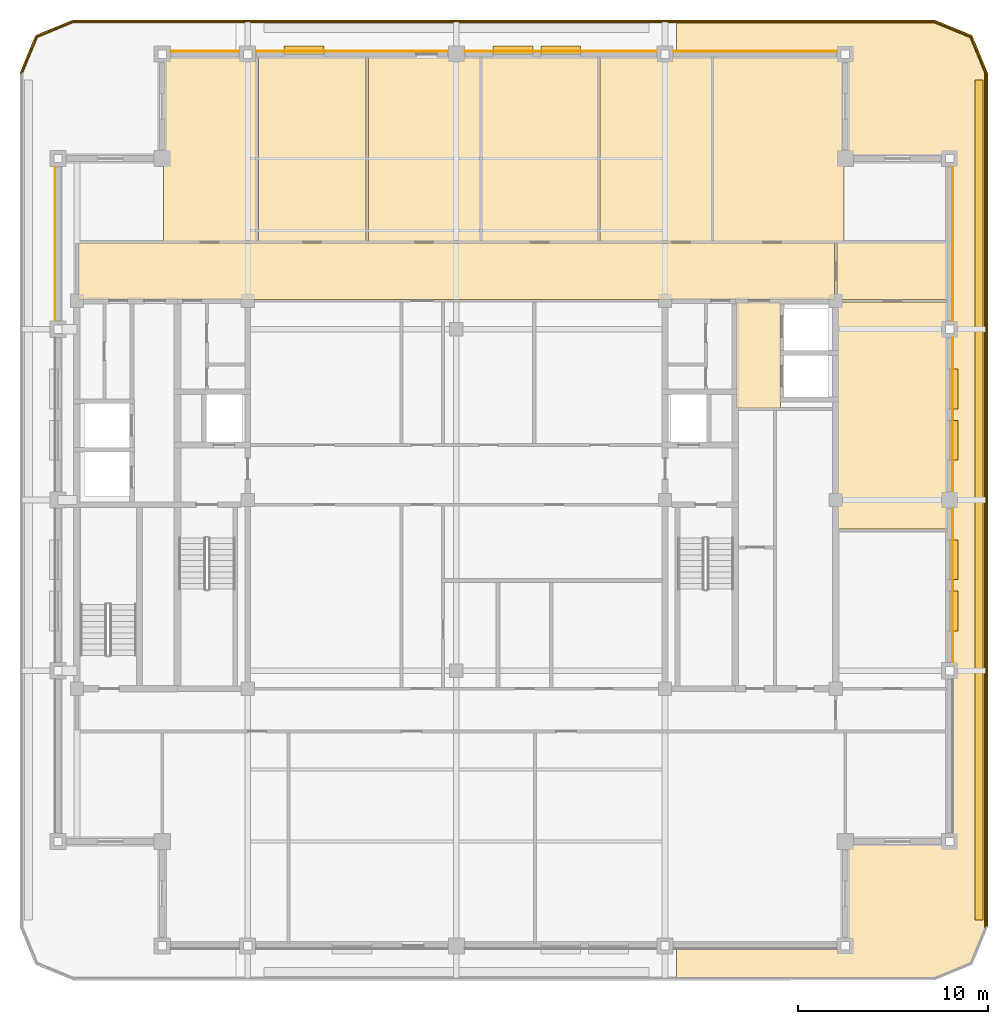
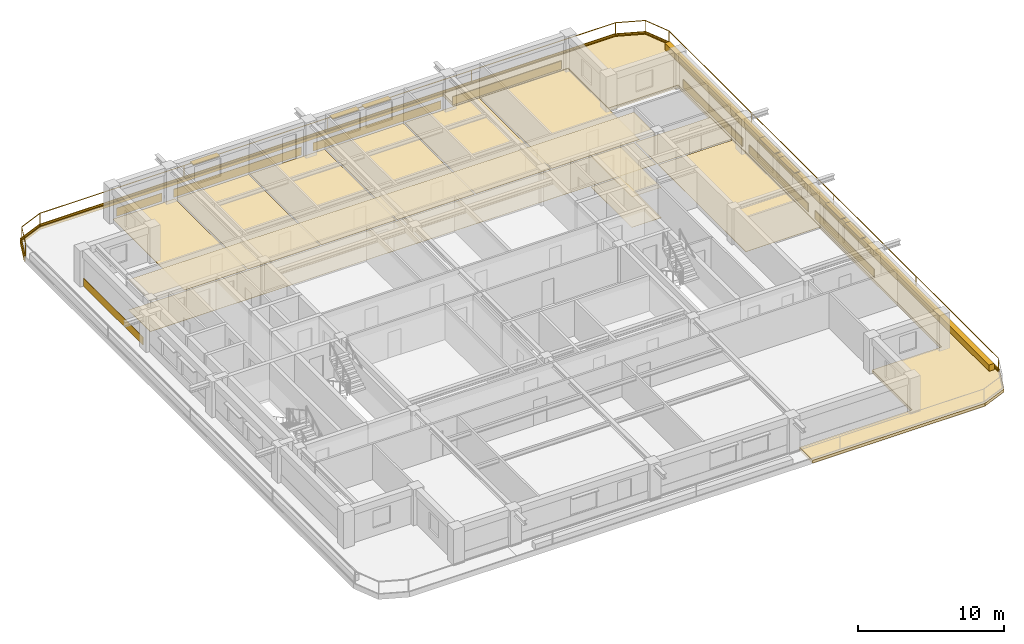
# One storey, part 11 of 11: 28 coverings, 7 shading devices, 2 railings.
"""IFC4 building model written with IfcOpenShell, lengths in metres."""

from ifc_helpers import new_model, si_unit, direction, frame, frame_2d, origin, origin_2d, place, context, subcontext, project, spatial, polyline, rectangle, outline, extrude, material, layer, layer_set, type_object, element, save


model = new_model("IFC4")

# Units and contexts
model_context = context("Model", 3, precision=1e-05, world=origin(), true_north=direction((0.0, 1.0)))
body_context = subcontext(model_context, "Body", "Model", "MODEL_VIEW")
ifc_project = project(units=[si_unit("LENGTHUNIT", "METRE"), si_unit("AREAUNIT", "SQUARE_METRE"), si_unit("VOLUMEUNIT", "CUBIC_METRE"), si_unit("PLANEANGLEUNIT", "RADIAN"), si_unit("MASSUNIT", "GRAM", prefix="KILO")], contexts=[model_context])

# Site, building, storey
site_placement = place(None, origin())
site = spatial("IfcSite", under=ifc_project, at=site_placement, CompositionType="ELEMENT")
building_placement = place(site_placement, origin())
building = spatial("IfcBuilding", under=site, at=building_placement, Name="Zulmaris Gate Convention Tower", CompositionType="ELEMENT")
storey_placement = place(building_placement, frame((0.0, 0.0, 233.280029296875)))
storey = spatial("IfcBuildingStorey", under=building, at=storey_placement, Name="L61", CompositionType="ELEMENT", Elevation=233.280029296875)

# Coverings
ifc_material_1 = material(Name="Precast concrete C40/50", Category="concrete")
ifc_layer_1 = layer(ifc_material_1, 0.0400390625, Name="Precast concrete C40/50")
ifc_layer_set_1 = layer_set([ifc_layer_1], Name="Precast concrete C40/50")
covering_type_1 = type_object("IfcCoveringType", Name="CLAD-SPANDREL-PRECAST", PredefinedType="CLADDING", material=ifc_layer_set_1)
covering_1_placement = place(storey_placement, frame((-11.455078125, 23.64990234375, 0.0), z_axis=(0.0, 0.0, 1.0), x_axis=(-1.0, 0.0, 0.0)))
element("IfcCovering", 1, at=covering_1_placement, inside=storey, type_object=covering_type_1, Name="CLD-L61-N-0_0", PredefinedType="CLADDING", context=body_context, shape_type="SweptSolid", body=[
    extrude(rectangle(XDim=3.58984375, YDim=0.0400390625, at=frame_2d((1.794921875, 0.0))), origin(), (0.0, 0.0, 1.0), 0.679931640625),
])
for number, where, z_axis, x_axis, name in (
    (2, (-0.455078125, 23.64990234375, 0.0), (0.0, 0.0, 1.0), (-1.0, 0.0, 0.0), "CLD-L61-N-1_0"),
    (3, (10.544921875, 23.64990234375, 0.0), (0.0, 0.0, 1.0), (-1.0, 0.0, 0.0), "CLD-L61-N-2_0"),
):
    element("IfcCovering", number, at=place(storey_placement, frame(where, z_axis=z_axis, x_axis=x_axis)), inside=storey, type_object=covering_type_1, Name=name, PredefinedType="CLADDING", context=body_context, shape_type="SweptSolid", body=[
        extrude(rectangle(XDim=10.08984375, YDim=0.0400390625, at=frame_2d((5.044921875, 0.0))), origin(), (0.0, 0.0, 1.0), 0.679931640625),
    ])
covering_2_placement = place(storey_placement, frame((20.044921875, 23.64990234375, 0.0), z_axis=(0.0, 0.0, 1.0), x_axis=(-1.0, 0.0, 0.0)))
element("IfcCovering", 4, at=covering_2_placement, inside=storey, type_object=covering_type_1, Name="CLD-L61-N-3_0", PredefinedType="CLADDING", context=body_context, shape_type="SweptSolid", body=[
    extrude(rectangle(XDim=8.58984375, YDim=0.0400390625, at=frame_2d((4.294921875, 0.0))), origin(), (0.0, 0.0, 1.0), 0.679931640625),
])
for number, where, z_axis, x_axis, name in (
    (5, (26.14990234375, -8.544921875, 0.0), (0.0, 0.0, 1.0), (0.0, 1.0, 0.0), "CLD-L61-E-1_0"),
    (6, (26.14990234375, 0.455078125, 0.0), (0.0, 0.0, 1.0), (0.0, 1.0, 0.0), "CLD-L61-E-2_0"),
    (7, (26.14990234375, 9.455078125, 0.0), (0.0, 0.0, 1.0), (0.0, 1.0, 0.0), "CLD-L61-E-3_0"),
    (8, (-21.14990234375, 17.544921875, 0.0), (0.0, 0.0, 1.0), (0.0, -1.0, 0.0), "CLD-L61-W-3_0"),
):
    element("IfcCovering", number, at=place(storey_placement, frame(where, z_axis=z_axis, x_axis=x_axis)), inside=storey, type_object=covering_type_1, Name=name, PredefinedType="CLADDING", context=body_context, shape_type="SweptSolid", body=[
        extrude(rectangle(XDim=8.08984375, YDim=0.0400390625, at=frame_2d((4.044921875, 0.0))), origin(), (0.0, 0.0, 1.0), 0.679931640625),
    ])
ifc_material_2 = material(Name="White Glazed Architectural Precast Concrete C40/50", Category="concrete")
ifc_layer_2 = layer(ifc_material_2, 0.239990234375, Name="White Glazed Architectural Precast Concrete C40/50")
ifc_layer_set_2 = layer_set([ifc_layer_2], Name="White Glazed Architectural Precast Concrete C40/50")
covering_type_2 = type_object("IfcCoveringType", Name="CLAD-TRAY-DECK", PredefinedType="CLADDING", material=ifc_layer_set_2)
covering_3_placement = place(storey_placement, frame((0.0, 0.0, -0.25)))
element("IfcCovering", 9, at=covering_3_placement, inside=storey, type_object=covering_type_2, Name="L61 East Rounded-Fascia Planter Tray Deck", PredefinedType="CLADDING", context=body_context, shape_type="SweptSolid", body=[
    extrude(outline(polyline([(25.199951171875, 25.300048828125), (27.179931640625, 24.47998046875), (28.0, 22.5), (28.0, -22.5), (27.179931640625, -24.47998046875), (25.199951171875, -25.300048828125), (11.60205078125, -25.300048828125), (11.60205078125, -23.5), (20.5, -23.5), (20.5, -18.0), (26.0, -18.0), (26.0, 18.0), (20.5, 18.0), (20.5, 23.5), (11.60205078125, 23.5), (11.60205078125, 25.300048828125), (25.199951171875, 25.300048828125)])), origin(), (0.0, 0.0, 1.0), 0.239990234375),
])
ifc_layer_3 = layer(ifc_material_2, 0.080078125, Name="White Glazed Architectural Precast Concrete C40/50")
ifc_layer_set_3 = layer_set([ifc_layer_3], Name="White Glazed Architectural Precast Concrete C40/50")
covering_type_3 = type_object("IfcCoveringType", Name="CLAD-TRAY-FASCIA", PredefinedType="CLADDING", material=ifc_layer_set_3)
covering_4_placement = place(storey_placement, frame((27.9599609375, -22.5, -0.2900390625), z_axis=(0.0, 0.0, 1.0), x_axis=(0.0, 1.0, 0.0)))
element("IfcCovering", 10, at=covering_4_placement, inside=storey, type_object=covering_type_3, Name="FSC-L61-TR-05", PredefinedType="CLADDING", context=body_context, shape_type="SweptSolid", body=[
    extrude(rectangle(XDim=45.0, YDim=0.080078125, at=frame_2d((22.5, 0.0))), origin(), (0.0, 0.0, 1.0), 0.43994140625),
])
covering_5_placement = place(storey_placement, frame((27.962890625, 22.484619140625, -0.2900390625), z_axis=(0.0, 0.0, 1.0), x_axis=(-0.382656984709, 0.923890487046, 0.0)))
element("IfcCovering", 11, at=covering_5_placement, inside=storey, type_object=covering_type_3, Name="FSC-L61-TR-06", PredefinedType="CLADDING", context=body_context, shape_type="SweptSolid", body=[
    extrude(rectangle(XDim=2.14306640625, YDim=0.080078125, at=frame_2d((1.071533203125, 0.0))), origin(), (0.0, 0.0, 1.0), 0.43994140625),
])
covering_6_placement = place(storey_placement, frame((27.16455078125, 24.44287109375, -0.2900390625), z_axis=(0.0, 0.0, 1.0), x_axis=(-0.923873803533, 0.382697263049, 0.0)))
element("IfcCovering", 12, at=covering_6_placement, inside=storey, type_object=covering_type_3, Name="FSC-L61-TR-07", PredefinedType="CLADDING", context=body_context, shape_type="SweptSolid", body=[
    extrude(rectangle(XDim=2.142822265625, YDim=0.080078125, at=frame_2d((1.0712890625, 0.0))), origin(), (0.0, 0.0, 1.0), 0.43994140625),
])
covering_7_placement = place(storey_placement, frame((25.199951171875, 25.260009765625, -0.2900390625), z_axis=(0.0, 0.0, 1.0), x_axis=(-1.0, 0.0, 0.0)))
element("IfcCovering", 13, at=covering_7_placement, inside=storey, type_object=covering_type_3, Name="FSC-L61-TR-08", PredefinedType="CLADDING", context=body_context, shape_type="SweptSolid", body=[
    extrude(rectangle(XDim=45.39990234375, YDim=0.080078125, at=frame_2d((22.699951171875, 0.0))), origin(), (0.0, 0.0, 1.0), 0.43994140625),
])
covering_8_placement = place(storey_placement, frame((-20.184814453125, 25.262939453125, -0.2900390625), z_axis=(0.0, 0.0, 1.0), x_axis=(-0.923873803533, -0.382697263049, 0.0)))
element("IfcCovering", 14, at=covering_8_placement, inside=storey, type_object=covering_type_3, Name="FSC-L61-TR-09", PredefinedType="CLADDING", context=body_context, shape_type="SweptSolid", body=[
    extrude(rectangle(XDim=2.142822265625, YDim=0.080078125, at=frame_2d((1.0712890625, 0.0))), origin(), (0.0, 0.0, 1.0), 0.43994140625),
])
covering_9_placement = place(storey_placement, frame((-22.142822265625, 24.464599609375, -0.2900390625), z_axis=(0.0, 0.0, 1.0), x_axis=(-0.382656984709, -0.923890487046, 0.0)))
element("IfcCovering", 15, at=covering_9_placement, inside=storey, type_object=covering_type_3, Name="FSC-L61-TR-10", PredefinedType="CLADDING", context=body_context, shape_type="SweptSolid", body=[
    extrude(rectangle(XDim=2.14306640625, YDim=0.080078125, at=frame_2d((1.071533203125, 0.0))), origin(), (0.0, 0.0, 1.0), 0.43994140625),
])
ifc_material_3 = material(Name="Mineral Fibre Acoustic Ceiling Tile")
ifc_layer_4 = layer(ifc_material_3, 0.02001953125, Name="Mineral Fibre Acoustic Ceiling Tile")
ifc_layer_set_4 = layer_set([ifc_layer_4], Name="Mineral Fibre Acoustic Ceiling Tile")
covering_type_4 = type_object("IfcCoveringType", Name="CLG-ACOUSTIC-600", PredefinedType="CEILING", material=ifc_layer_set_4)
covering_10_placement = place(storey_placement, frame((0.0, 0.0, 2.5380859375)))
element("IfcCovering", 16, at=covering_10_placement, inside=storey, type_object=covering_type_4, Name="CLG-L61-R26", PredefinedType="CEILING", context=body_context, shape_type="SweptSolid", body=[
    extrude(outline(polyline([(14.760009765625, 4.860107421875), (17.090087890625, 4.860107421875), (17.090087890625, 10.43994140625), (14.760009765625, 10.43994140625), (14.760009765625, 4.860107421875)])), origin(), (0.0, 0.0, 1.0), 0.019775390625),
])
covering_11_placement = place(storey_placement, frame((0.0, 0.0, 2.5380859375)))
element("IfcCovering", 17, at=covering_11_placement, inside=storey, type_object=covering_type_4, Name="CLG-L61-R32", PredefinedType="CEILING", context=body_context, shape_type="SweptSolid", body=[
    extrude(outline(polyline([(-19.93994140625, 10.56005859375), (19.93994140625, 10.56005859375), (19.93994140625, 13.5400390625), (-19.93994140625, 13.5400390625), (-19.93994140625, 10.56005859375)])), origin(), (0.0, 0.0, 1.0), 0.019775390625),
])
ifc_material_4 = material(Name="Woven Acoustic Wool Carpet Tile")
ifc_layer_5 = layer(ifc_material_4, 0.02001953125, Name="Woven Acoustic Wool Carpet Tile")
ifc_layer_set_5 = layer_set([ifc_layer_5], Name="Woven Acoustic Wool Carpet Tile")
covering_type_5 = type_object("IfcCoveringType", Name="FLR-CARPET-12", PredefinedType="FLOORING", material=ifc_layer_set_5)
covering_12_placement = place(storey_placement, origin())
element("IfcCovering", 18, at=covering_12_placement, inside=storey, type_object=covering_type_5, Name="FLR-L61-R26", PredefinedType="FLOORING", context=body_context, shape_type="SweptSolid", body=[
    extrude(outline(polyline([(14.760009765625, 4.860107421875), (17.090087890625, 4.860107421875), (17.090087890625, 10.43994140625), (14.760009765625, 10.43994140625), (14.760009765625, 4.860107421875)])), origin(), (0.0, 0.0, 1.0), 0.02001953125),
])
covering_13_placement = place(storey_placement, origin())
element("IfcCovering", 19, at=covering_13_placement, inside=storey, type_object=covering_type_5, Name="FLR-L61-R32", PredefinedType="FLOORING", context=body_context, shape_type="SweptSolid", body=[
    extrude(outline(polyline([(-19.93994140625, 10.56005859375), (19.93994140625, 10.56005859375), (19.93994140625, 13.5400390625), (-19.93994140625, 13.5400390625), (-19.93994140625, 10.56005859375)])), origin(), (0.0, 0.0, 1.0), 0.02001953125),
])
covering_14_placement = place(storey_placement, origin())
element("IfcCovering", 20, at=covering_14_placement, inside=storey, type_object=covering_type_5, Name="FLR-L61-R38", PredefinedType="FLOORING", context=body_context, shape_type="SweptSolid", body=[
    extrude(outline(polyline([(-10.43994140625, 13.659912109375), (-4.760009765625, 13.659912109375), (-4.760009765625, 23.43994140625), (-10.43994140625, 23.43994140625), (-10.43994140625, 13.659912109375)])), origin(), (0.0, 0.0, 1.0), 0.02001953125),
])
covering_15_placement = place(storey_placement, origin())
element("IfcCovering", 21, at=covering_15_placement, inside=storey, type_object=covering_type_5, Name="FLR-L61-R39", PredefinedType="FLOORING", context=body_context, shape_type="SweptSolid", body=[
    extrude(outline(polyline([(-4.639892578125, 13.659912109375), (1.239990234375, 13.659912109375), (1.239990234375, 23.43994140625), (-4.639892578125, 23.43994140625), (-4.639892578125, 13.659912109375)])), origin(), (0.0, 0.0, 1.0), 0.02001953125),
])
covering_16_placement = place(storey_placement, origin())
element("IfcCovering", 22, at=covering_16_placement, inside=storey, type_object=covering_type_5, Name="FLR-L61-R40", PredefinedType="FLOORING", context=body_context, shape_type="SweptSolid", body=[
    extrude(outline(polyline([(1.360107421875, 13.659912109375), (7.43994140625, 13.659912109375), (7.43994140625, 23.43994140625), (1.360107421875, 23.43994140625), (1.360107421875, 13.659912109375)])), origin(), (0.0, 0.0, 1.0), 0.02001953125),
])
covering_17_placement = place(storey_placement, origin())
element("IfcCovering", 23, at=covering_17_placement, inside=storey, type_object=covering_type_5, Name="FLR-L61-R42", PredefinedType="FLOORING", context=body_context, shape_type="SweptSolid", body=[
    extrude(outline(polyline([(13.56005859375, 13.659912109375), (20.43994140625, 13.659912109375), (20.43994140625, 23.43994140625), (13.56005859375, 23.43994140625), (13.56005859375, 13.659912109375)])), origin(), (0.0, 0.0, 1.0), 0.02001953125),
])
covering_18_placement = place(storey_placement, origin())
element("IfcCovering", 24, at=covering_18_placement, inside=storey, type_object=covering_type_5, Name="FLR-L61-R54", PredefinedType="FLOORING", context=body_context, shape_type="SweptSolid", body=[
    extrude(outline(polyline([(20.06005859375, 10.56005859375), (25.93994140625, 10.56005859375), (25.93994140625, 13.5400390625), (20.06005859375, 13.5400390625), (20.06005859375, 10.56005859375)])), origin(), (0.0, 0.0, 1.0), 0.02001953125),
])
covering_19_placement = place(storey_placement, origin())
element("IfcCovering", 25, at=covering_19_placement, inside=storey, type_object=covering_type_5, Name="FLR-L61-R56", PredefinedType="FLOORING", context=body_context, shape_type="SweptSolid", body=[
    extrude(outline(polyline([(20.06005859375, -1.5400390625), (25.93994140625, -1.5400390625), (25.93994140625, 10.43994140625), (20.06005859375, 10.43994140625), (20.06005859375, -1.5400390625)])), origin(), (0.0, 0.0, 1.0), 0.02001953125),
])
ifc_material_5 = material(Name="Engineered Teak Parquet Flooring")
ifc_layer_6 = layer(ifc_material_5, 0.02001953125, Name="Engineered Teak Parquet Flooring")
ifc_layer_set_6 = layer_set([ifc_layer_6], Name="Engineered Teak Parquet Flooring")
covering_type_6 = type_object("IfcCoveringType", Name="FLR-TIMBER-18", PredefinedType="FLOORING", material=ifc_layer_set_6)
covering_20_placement = place(storey_placement, origin())
element("IfcCovering", 26, at=covering_20_placement, inside=storey, type_object=covering_type_6, Name="FLR-L61-R37", PredefinedType="FLOORING", context=body_context, shape_type="SweptSolid", body=[
    extrude(outline(polyline([(-15.43994140625, 13.659912109375), (-10.56005859375, 13.659912109375), (-10.56005859375, 23.43994140625), (-15.43994140625, 23.43994140625), (-15.43994140625, 13.659912109375)])), origin(), (0.0, 0.0, 1.0), 0.02001953125),
])
covering_21_placement = place(storey_placement, origin())
element("IfcCovering", 27, at=covering_21_placement, inside=storey, type_object=covering_type_6, Name="FLR-L61-R41", PredefinedType="FLOORING", context=body_context, shape_type="SweptSolid", body=[
    extrude(outline(polyline([(7.56005859375, 13.659912109375), (13.43994140625, 13.659912109375), (13.43994140625, 23.43994140625), (7.56005859375, 23.43994140625), (7.56005859375, 13.659912109375)])), origin(), (0.0, 0.0, 1.0), 0.02001953125),
])
ifc_material_6 = material(Name="Botanical Green Glazed Precast Concrete C40/50", Category="concrete")
ifc_layer_7 = layer(ifc_material_6, 0.419921875, Name="Botanical Green Glazed Precast Concrete C40/50")
ifc_layer_set_7 = layer_set([ifc_layer_7], Name="Botanical Green Glazed Precast Concrete C40/50")
covering_type_7 = type_object("IfcCoveringType", Name="PLANTER-BOX-200", PredefinedType="CLADDING", material=ifc_layer_set_7)
covering_22_placement = place(storey_placement, frame((0.0, 0.0, -0.010009765625)))
element("IfcCovering", 28, at=covering_22_placement, inside=storey, type_object=covering_type_7, Name="L61 E Full-Length Balcony Tree Planter Trough", PredefinedType="CLADDING", context=body_context, shape_type="SweptSolid", body=[
    extrude(outline(polyline([(27.340087890625, -22.14990234375), (27.760009765625, -22.14990234375), (27.760009765625, 22.14990234375), (27.340087890625, 22.14990234375), (27.340087890625, -22.14990234375)])), origin(), (0.0, 0.0, 1.0), 0.52001953125),
])

# Railings
ifc_material_7 = material(Name="Laminated Glass and Stainless Steel", Category="steel")
railing_type = type_object("IfcRailingType", Name="RL-BALC-1150", PredefinedType="BALUSTRADE", material=ifc_material_7)
railing_1_placement = place(storey_placement, frame((27.8798828125, -22.5, -0.010009765625)))
element("IfcRailing", 29, at=railing_1_placement, inside=storey, type_object=railing_type, Name="RL-L61-BALC-E", PredefinedType="BALUSTRADE", context=body_context, shape_type="SweptSolid", body=[
    extrude(rectangle(XDim=0.048095703125, YDim=0.048095703125, at=origin_2d()), frame((0.0, 0.0, 1.1259765625), z_axis=(0.0, 1.0, 0.0), x_axis=(-1.0, 0.0, 0.0)), (0.0, 0.0, 1.0), 45.0),
    extrude(rectangle(XDim=0.048095703125, YDim=0.048095703125, at=origin_2d()), frame((0.0, 0.0, 0.02392578125), z_axis=(0.0, 1.0, 0.0), x_axis=(-1.0, 0.0, 0.0)), (0.0, 0.0, 1.0), 45.0),
    extrude(rectangle(XDim=0.0419921875, YDim=0.0419921875, at=origin_2d()), origin(), (0.0, 0.0, 1.0), 1.101806640625),
    extrude(rectangle(XDim=0.0419921875, YDim=0.0419921875, at=origin_2d()), frame((0.0, 11.25, 0.0)), (0.0, 0.0, 1.0), 1.101806640625),
    extrude(rectangle(XDim=0.0419921875, YDim=0.0419921875, at=origin_2d()), frame((0.0, 22.5, 0.0)), (0.0, 0.0, 1.0), 1.101806640625),
    extrude(rectangle(XDim=0.0419921875, YDim=0.0419921875, at=origin_2d()), frame((0.0, 33.75, 0.0)), (0.0, 0.0, 1.0), 1.101806640625),
    extrude(rectangle(XDim=0.0419921875, YDim=0.0419921875, at=origin_2d()), frame((0.0, 45.0, 0.0)), (0.0, 0.0, 1.0), 1.101806640625),
])
railing_2_placement = place(storey_placement, frame((27.8798828125, 22.5, -0.010009765625)))
element("IfcRailing", 30, at=railing_2_placement, inside=storey, type_object=railing_type, Name="RL-L61-BALC-N", PredefinedType="BALUSTRADE", context=body_context, shape_type="SweptSolid", body=[
    extrude(rectangle(XDim=0.048095703125, YDim=0.048095703125, at=origin_2d()), frame((0.0, 0.0, 1.1259765625), z_axis=(-0.382670664694, 0.92388482095, 0.0), x_axis=(-0.92388482095, -0.382670664694, 0.0)), (0.0, 0.0, 1.0), 2.051025390625),
    extrude(rectangle(XDim=0.048095703125, YDim=0.048095703125, at=origin_2d()), frame((0.0, 0.0, 0.02392578125), z_axis=(-0.382670664694, 0.92388482095, 0.0), x_axis=(-0.92388482095, -0.382670664694, 0.0)), (0.0, 0.0, 1.0), 2.051025390625),
    extrude(rectangle(XDim=0.048095703125, YDim=0.048095703125, at=origin_2d()), frame((-0.784912109375, 1.89501953125, 1.1259765625), z_axis=(-0.92388482095, 0.382670664694, 0.0), x_axis=(-0.382670664694, -0.92388482095, 0.0)), (0.0, 0.0, 1.0), 2.051025390625),
    extrude(rectangle(XDim=0.048095703125, YDim=0.048095703125, at=origin_2d()), frame((-0.784912109375, 1.89501953125, 0.02392578125), z_axis=(-0.92388482095, 0.382670664694, 0.0), x_axis=(-0.382670664694, -0.92388482095, 0.0)), (0.0, 0.0, 1.0), 2.051025390625),
    extrude(rectangle(XDim=0.048095703125, YDim=0.048095703125, at=origin_2d()), frame((-2.679931640625, 2.679931640625, 1.1259765625), z_axis=(-1.0, 0.0, 0.0), x_axis=(0.0, -1.0, 0.0)), (0.0, 0.0, 1.0), 45.39990234375),
    extrude(rectangle(XDim=0.048095703125, YDim=0.048095703125, at=origin_2d()), frame((-2.679931640625, 2.679931640625, 0.02392578125), z_axis=(-1.0, 0.0, 0.0), x_axis=(0.0, -1.0, 0.0)), (0.0, 0.0, 1.0), 45.39990234375),
    extrude(rectangle(XDim=0.048095703125, YDim=0.048095703125, at=origin_2d()), frame((-48.079833984375, 2.679931640625, 1.1259765625), z_axis=(-0.92388482095, -0.382670664694, 0.0), x_axis=(0.382670664694, -0.92388482095, 0.0)), (0.0, 0.0, 1.0), 2.051025390625),
    extrude(rectangle(XDim=0.048095703125, YDim=0.048095703125, at=origin_2d()), frame((-48.079833984375, 2.679931640625, 0.02392578125), z_axis=(-0.92388482095, -0.382670664694, 0.0), x_axis=(0.382670664694, -0.92388482095, 0.0)), (0.0, 0.0, 1.0), 2.051025390625),
    extrude(rectangle(XDim=0.048095703125, YDim=0.048095703125, at=origin_2d()), frame((-49.974853515625, 1.89501953125, 1.1259765625), z_axis=(-0.382670664694, -0.92388482095, 0.0), x_axis=(0.92388482095, -0.382670664694, 0.0)), (0.0, 0.0, 1.0), 2.051025390625),
    extrude(rectangle(XDim=0.048095703125, YDim=0.048095703125, at=origin_2d()), frame((-49.974853515625, 1.89501953125, 0.02392578125), z_axis=(-0.382670664694, -0.92388482095, 0.0), x_axis=(0.92388482095, -0.382670664694, 0.0)), (0.0, 0.0, 1.0), 2.051025390625),
    extrude(rectangle(XDim=0.0419921875, YDim=0.0419921875, at=origin_2d()), origin(), (0.0, 0.0, 1.0), 1.101806640625),
    extrude(rectangle(XDim=0.0419921875, YDim=0.0419921875, at=origin_2d()), frame((-0.784912109375, 1.89501953125, 0.0)), (0.0, 0.0, 1.0), 1.101806640625),
    extrude(rectangle(XDim=0.0419921875, YDim=0.0419921875, at=origin_2d()), frame((-2.679931640625, 2.679931640625, 0.0)), (0.0, 0.0, 1.0), 1.101806640625),
    extrude(rectangle(XDim=0.0419921875, YDim=0.0419921875, at=origin_2d()), frame((-14.02978515625, 2.679931640625, 0.0)), (0.0, 0.0, 1.0), 1.101806640625),
    extrude(rectangle(XDim=0.0419921875, YDim=0.0419921875, at=origin_2d()), frame((-25.3798828125, 2.679931640625, 0.0)), (0.0, 0.0, 1.0), 1.101806640625),
    extrude(rectangle(XDim=0.0419921875, YDim=0.0419921875, at=origin_2d()), frame((-36.72998046875, 2.679931640625, 0.0)), (0.0, 0.0, 1.0), 1.101806640625),
    extrude(rectangle(XDim=0.0419921875, YDim=0.0419921875, at=origin_2d()), frame((-48.079833984375, 2.679931640625, 0.0)), (0.0, 0.0, 1.0), 1.101806640625),
    extrude(rectangle(XDim=0.0419921875, YDim=0.0419921875, at=origin_2d()), frame((-49.974853515625, 1.89501953125, 0.0)), (0.0, 0.0, 1.0), 1.101806640625),
    extrude(rectangle(XDim=0.0419921875, YDim=0.0419921875, at=origin_2d()), frame((-50.759765625, 0.0, 0.0)), (0.0, 0.0, 1.0), 1.101806640625),
])

# Shading devices
ifc_material_8 = material(Name="Glazed Ceramic Terracotta", Category="masonry")
ifc_layer_8 = layer(ifc_material_8, 0.070068359375, Name="Glazed Ceramic Terracotta")
ifc_layer_set_8 = layer_set([ifc_layer_8], Name="Glazed Ceramic Terracotta")
shading_device_type = type_object("IfcShadingDeviceType", Name="SHD-SUNSHADE-TC", PredefinedType="AWNING", material=ifc_layer_set_8)
for number, where, z_axis, x_axis, name in (
    (31, (-6.972900390625, 23.719970703125, 2.22998046875), (0.0, 0.0, 1.0), (-1.0, 0.0, 0.0), "SHD-EW-L61-N-1_0-3"),
    (32, (6.550048828125, 23.719970703125, 2.22998046875), (0.0, 0.0, 1.0), (-1.0, 0.0, 0.0), "SHD-EW-L61-N-2_0-2"),
    (33, (4.027099609375, 23.719970703125, 2.22998046875), (0.0, 0.0, 1.0), (-1.0, 0.0, 0.0), "SHD-EW-L61-N-2_0-3"),
):
    element("IfcShadingDevice", number, at=place(storey_placement, frame(where, z_axis=z_axis, x_axis=x_axis)), inside=storey, type_object=shading_device_type, Name=name, PredefinedType="AWNING", context=body_context, shape_type="SweptSolid", body=[
        extrude(rectangle(XDim=2.10009765625, YDim=0.43994140625, at=frame_2d((1.050048828125, 0.0))), origin(), (0.0, 0.0, 1.0), 0.070068359375),
    ])
for number, where, z_axis, x_axis, name in (
    (34, (26.219970703125, -6.89794921875, 2.22998046875), (0.0, 0.0, 1.0), (0.0, 1.0, 0.0), "SHD-EW-L61-E-1_0-1"),
    (35, (26.219970703125, -4.201904296875, 2.22998046875), (0.0, 0.0, 1.0), (0.0, 1.0, 0.0), "SHD-EW-L61-E-1_0-2"),
    (36, (26.219970703125, 2.10205078125, 2.22998046875), (0.0, 0.0, 1.0), (0.0, 1.0, 0.0), "SHD-EW-L61-E-2_0-1"),
    (37, (26.219970703125, 4.798095703125, 2.22998046875), (0.0, 0.0, 1.0), (0.0, 1.0, 0.0), "SHD-EW-L61-E-2_0-2"),
):
    element("IfcShadingDevice", number, at=place(storey_placement, frame(where, z_axis=z_axis, x_axis=x_axis)), inside=storey, type_object=shading_device_type, Name=name, PredefinedType="AWNING", context=body_context, shape_type="SweptSolid", body=[
        extrude(rectangle(XDim=2.099853515625, YDim=0.43994140625, at=frame_2d((1.0498046875, 0.0))), origin(), (0.0, 0.0, 1.0), 0.070068359375),
    ])

save(model, "model.ifc")
